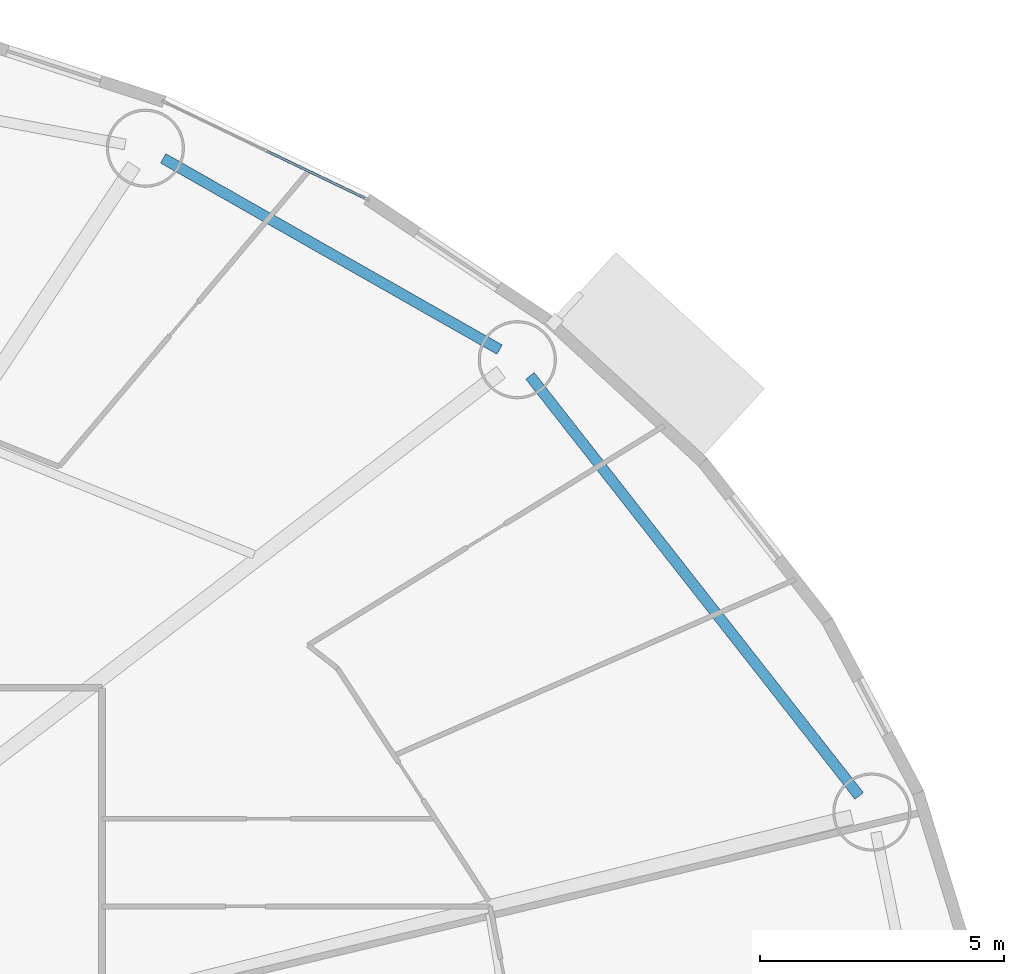
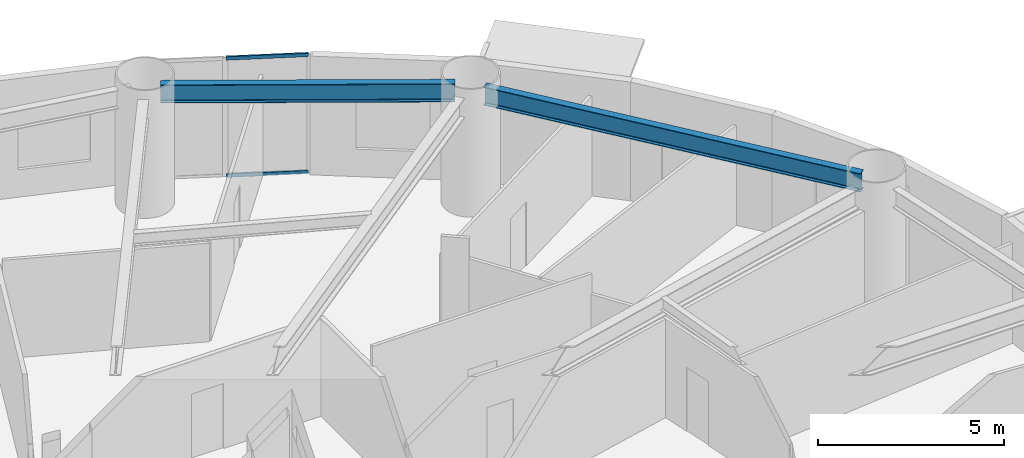
# One storey, part 5 of 21: 2 beams, 2 members, 1 element without a shape of its own.
"""IFC4 building model written with IfcOpenShell, lengths in metres."""

from ifc_helpers import new_model, si_unit, direction, frame, origin, origin_2d, place, context, subcontext, project, spatial, hollow_rectangle, i_section, extrude, source, transform, mapped, material, layer, layer_set, material_profile, profile_set, type_object, element, aggregate, save


model = new_model("IFC4")

# Units and contexts
model_context = context("Model", 3, precision=1e-05, world=origin(), true_north=direction((0.0, 1.0)))
body_context = subcontext(model_context, "Body", "Model", "MODEL_VIEW")
ifc_project = project(units=[si_unit("LENGTHUNIT", "METRE"), si_unit("AREAUNIT", "SQUARE_METRE"), si_unit("VOLUMEUNIT", "CUBIC_METRE"), si_unit("PLANEANGLEUNIT", "RADIAN"), si_unit("MASSUNIT", "GRAM", prefix="KILO")], contexts=[model_context])

# Site, building, storey
site_placement = place(None, origin())
site = spatial("IfcSite", under=ifc_project, at=site_placement, CompositionType="ELEMENT")
building_placement = place(site_placement, origin())
building = spatial("IfcBuilding", under=site, at=building_placement, Name="Linh Dai School and Residence Tower", CompositionType="ELEMENT")
storey_placement = place(building_placement, frame((0.0, 0.0, 82.800048828125)))
storey = spatial("IfcBuildingStorey", under=building, at=storey_placement, Name="L19", CompositionType="ELEMENT", Elevation=82.800048828125)

# Beams
ifc_material_1 = material(Name="Structural Steel S355JR", Category="steel")
ifc_material_profile_1 = material_profile(ifc_material_1, i_section(OverallWidth=0.219970703125, OverallDepth=0.60009765625, WebThickness=0.011962890625, FlangeThickness=0.01904296875, FilletRadius=0.02392578125, at=origin_2d()), Name="IPE 600")
ifc_profile_set_1 = profile_set([ifc_material_profile_1], Name="Structural Steel S355JR")
beam_type = type_object("IfcBeamType", Name="BM-RB60", PredefinedType="BEAM", material=ifc_profile_set_1)
beam_1_placement = place(storey_placement, frame((64.351806640625, 34.439208984375, 3.599853515625), z_axis=(-0.616878670407, 0.787058260866, 0.0), x_axis=(-0.787058260866, -0.616878670407, 0.0)))
element("IfcBeam", 1, at=beam_1_placement, inside=storey, type_object=beam_type, Name="L19 Perimeter Elliptical Ring Beam 02", PredefinedType="BEAM", context=body_context, shape_type="SweptSolid", body=[
    extrude(i_section(OverallWidth=0.219970703125, OverallDepth=0.60009765625, WebThickness=0.011962890625, FlangeThickness=0.01904296875, FilletRadius=0.02392578125, at=origin_2d()), origin(), (0.0, 0.0, 1.0), 10.926025390625),
])
beam_2_placement = place(storey_placement, frame((56.987548828125, 43.57666015625, 3.599853515625), z_axis=(-0.869271416992, 0.494335112653, 0.0), x_axis=(-0.494335112653, -0.869271416992, 0.0)))
element("IfcBeam", 2, at=beam_2_placement, inside=storey, type_object=beam_type, Name="L19 Perimeter Elliptical Ring Beam 03", PredefinedType="BEAM", context=body_context, shape_type="SweptSolid", body=[
    extrude(i_section(OverallWidth=0.219970703125, OverallDepth=0.60009765625, WebThickness=0.011962890625, FlangeThickness=0.01904296875, FilletRadius=0.02392578125, at=origin_2d()), origin(), (0.0, 0.0, 1.0), 7.91943359375),
])

# Curtain wall, members
ifc_material_2 = material(Name="Aluminium Anodised Curtain Wall", Category="aluminium")
ifc_layer = layer(ifc_material_2, 0.14990234375)
ifc_layer_set = layer_set([ifc_layer], Name="Aluminium Anodised Curtain Wall")
curtain_wall_type = type_object("IfcCurtainWallType", Name="CW-SYS-4", PredefinedType="USERDEFINED", material=ifc_layer_set)
curtain_wall_placement = place(storey_placement, origin())
curtain_wall = element("IfcCurtainWall", 3, at=curtain_wall_placement, inside=storey, type_object=curtain_wall_type, Name="L19 CW4 Curtain Wall 07", ObjectType="RIBBON CURTAIN WALL", PredefinedType="USERDEFINED")
ifc_material_3 = material(Name="Aluminium Alloy 6063-T6", Category="aluminium")
ifc_material_profile_2 = material_profile(ifc_material_3, hollow_rectangle(XDim=0.052001953125, YDim=0.114990234375, WallThickness=0.00390625, at=origin_2d()), Name="RHS 115x52x4")
ifc_profile_set_2 = profile_set([ifc_material_profile_2], Name="Aluminium Alloy 6063-T6")
member_type = type_object("IfcMemberType", Name="CW-SYS-4-TRN", PredefinedType="USERDEFINED", material=ifc_profile_set_2)
shared_shape = source(origin(), body_context, "Body", "SweptSolid", [
    extrude(hollow_rectangle(XDim=0.052001953125, YDim=0.114990234375, WallThickness=0.00390625, at=origin_2d()), origin(), (0.0, 0.0, 1.0), 2.228271484375),
])
member_1_placement = place(storey_placement, frame((52.22119140625, 47.64208984375, 0.02587890625), z_axis=(0.901605107668, -0.432560088112, 0.0), x_axis=(0.432560088112, 0.901605107668, 0.0)))
member_1 = element("IfcMember", 4, at=member_1_placement, type_object=member_type, Name="CW4 transom 2.1", ObjectType="TRANSOM", PredefinedType="USERDEFINED", context=body_context, shape_type="MappedRepresentation", body=[
    mapped(shared_shape, transform((0.0, 0.0, 0.0), x_axis=(1.0, 0.0, 0.0), y_axis=(0.0, 1.0, 0.0), z_axis=(0.0, 0.0, 1.0), scale=1.0)),
])
member_2_placement = place(storey_placement, frame((52.22119140625, 47.64208984375, 3.8740234375), z_axis=(0.901605107668, -0.432560088112, 0.0), x_axis=(0.432560088112, 0.901605107668, 0.0)))
member_2 = element("IfcMember", 5, at=member_2_placement, type_object=member_type, Name="CW4 transom 2.2", ObjectType="TRANSOM", PredefinedType="USERDEFINED", context=body_context, shape_type="MappedRepresentation", body=[
    mapped(shared_shape, transform((0.0, 0.0, 0.0), x_axis=(1.0, 0.0, 0.0), y_axis=(0.0, 1.0, 0.0), z_axis=(0.0, 0.0, 1.0), scale=1.0)),
])
aggregate(curtain_wall, [member_1, member_2])

save(model, "model.ifc")
